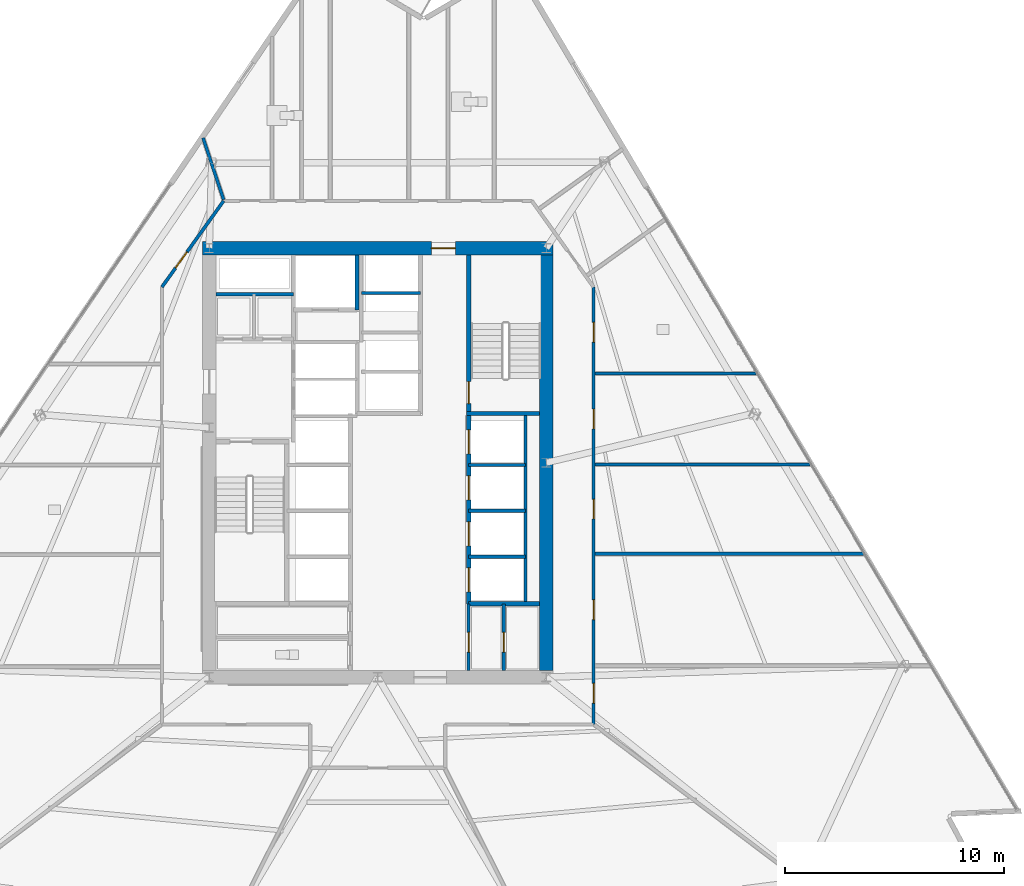
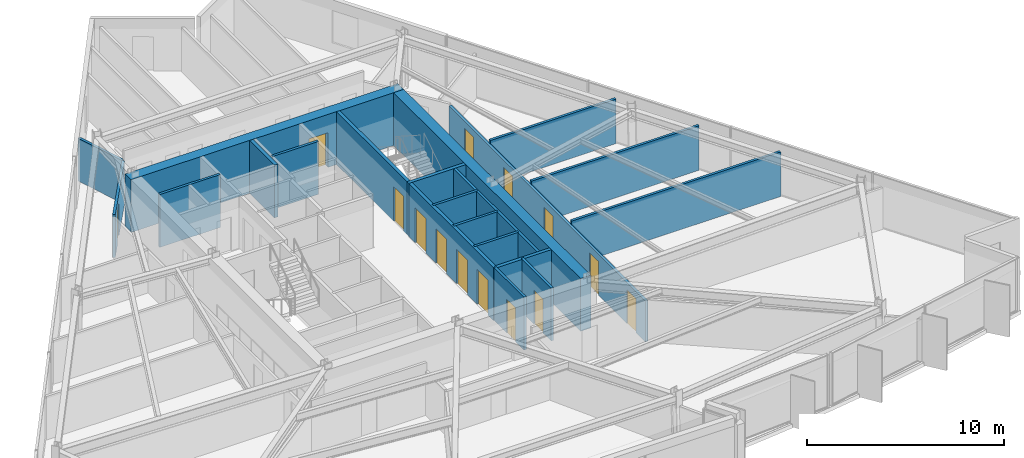
# One storey, part 10 of 16: 21 walls, 14 doors, 14 openings.
"""IFC4 building model written with IfcOpenShell, lengths in metres."""

from ifc_helpers import new_model, si_unit, direction, frame, frame_2d, origin, place, context, subcontext, project, spatial, rectangle, extrude, material, layer, layer_set, type_object, element, fill, save


model = new_model("IFC4")

# Units and contexts
model_context = context("Model", 3, precision=1e-05, world=origin(), true_north=direction((0.0, 1.0)))
body_context = subcontext(model_context, "Body", "Model", "MODEL_VIEW")
ifc_project = project(units=[si_unit("LENGTHUNIT", "METRE"), si_unit("AREAUNIT", "SQUARE_METRE"), si_unit("VOLUMEUNIT", "CUBIC_METRE"), si_unit("PLANEANGLEUNIT", "RADIAN"), si_unit("MASSUNIT", "GRAM", prefix="KILO")], contexts=[model_context])

# Site, building, storey
site_placement = place(None, origin())
site = spatial("IfcSite", under=ifc_project, at=site_placement, CompositionType="ELEMENT")
building_placement = place(site_placement, origin())
building = spatial("IfcBuilding", under=site, at=building_placement, Name="Savorim Split Tower", CompositionType="ELEMENT")
storey_placement = place(building_placement, frame((0.0, 0.0, 69.60009765625)))
storey = spatial("IfcBuildingStorey", under=building, at=storey_placement, Name="L18", CompositionType="ELEMENT", Elevation=69.60009765625)

# Wall, opening, door
ifc_material_1 = material(Name="Concrete C60/75", Category="concrete")
ifc_layer_1 = layer(ifc_material_1, 0.60009765625)
ifc_layer_set_1 = layer_set([ifc_layer_1], Name="WAL-COR-SH600")
wall_type_1 = type_object("IfcWallType", Name="WAL-COR-SH600", PredefinedType="SHEAR", material=ifc_layer_set_1)
wall_1_placement = place(storey_placement, frame((8.0, 10.199951171875, 0.0), z_axis=(0.0, 0.0, 1.0), x_axis=(-1.0, 0.0, 0.0)))
wall_1 = element("IfcWall", 1, at=wall_1_placement, inside=storey, type_object=wall_type_1, Name="L18 Offset Core North Shear Wall", PredefinedType="SHEAR", context=body_context, shape_type="SweptSolid", body=[
    extrude(rectangle(XDim=16.0, YDim=0.60009765625, at=frame_2d((8.0, 0.0))), origin(), (0.0, 0.0, 1.0), 3.27978515625),
])
opening_1_placement = place(wall_1_placement, frame((4.449951171875, 0.0, 0.0)))
opening_1 = element("IfcOpeningElement", 2, at=opening_1_placement, cuts=wall_1, Name="Opening DI-03", PredefinedType="OPENING", context=body_context, shape_type="SweptSolid", body=[
    extrude(rectangle(XDim=1.10009765625, YDim=2.14990234375, at=frame_2d((0.550048828125, 1.074951171875))), frame((0.0, 0.31005859375, 0.0), z_axis=(0.0, -1.0, 0.0), x_axis=(1.0, 0.0, 0.0)), (0.0, 0.0, 1.0), 0.6201171875),
])
ifc_material_2 = material(Name="Timber Fire Door Leaf", Category="wood")
door_type_1 = type_object("IfcDoorType", Name="DOR-FIR-1100", OperationType="NOTDEFINED", PredefinedType="DOOR", material=ifc_material_2)
door_1_placement = place(opening_1_placement, origin())
door_1 = element("IfcDoor", 3, at=door_1_placement, inside=storey, type_object=door_type_1, Name="DOR-L18-COR-NLOB - L18 North Corridor Lobby Fire Door", OperationType="SINGLE_SWING_LEFT", OverallHeight=2.14990234375, OverallWidth=1.10009765625, PredefinedType="DOOR", context=body_context, shape_type="SweptSolid", body=[
    extrude(rectangle(XDim=1.10009765625, YDim=2.14990234375, at=frame_2d((0.550048828125, 1.074951171875))), frame((0.0, 0.02490234375, 0.0), z_axis=(0.0, -1.0, 0.0), x_axis=(1.0, 0.0, 0.0)), (0.0, 0.0, 1.0), 0.050048828125),
])
fill(opening_1, door_1)

# Wall
wall_2_placement = place(storey_placement, frame((7.699951171875, 9.89990234375, 0.0), z_axis=(0.0, 0.0, 1.0), x_axis=(0.0, -1.0, 0.0)))
element("IfcWall", 4, at=wall_2_placement, inside=storey, type_object=wall_type_1, Name="L18 Offset Core East Shear Wall", PredefinedType="SHEAR", context=body_context, shape_type="SweptSolid", body=[
    extrude(rectangle(XDim=19.0, YDim=0.60009765625, at=frame_2d((9.5, 0.0))), origin(), (0.0, 0.0, 1.0), 3.27978515625),
])

# Wall, opening, door
ifc_material_3 = material(Name="Concrete C50/60", Category="concrete")
ifc_layer_2 = layer(ifc_material_3, 0.199951171875)
ifc_layer_set_2 = layer_set([ifc_layer_2], Name="WAL-INT-RC200")
wall_type_2 = type_object("IfcWallType", Name="WAL-INT-RC200", PredefinedType="SOLIDWALL", material=ifc_layer_set_2)
wall_3_placement = place(storey_placement, frame((4.14990234375, 2.75, 0.0), z_axis=(0.0, 0.0, 1.0), x_axis=(0.0, 1.0, 0.0)))
wall_3 = element("IfcWall", 5, at=wall_3_placement, inside=storey, type_object=wall_type_2, Name="L18 Structural Shaft Wall W-L18-CR07", PredefinedType="SOLIDWALL", context=body_context, shape_type="SweptSolid", body=[
    extrude(rectangle(XDim=7.14990234375, YDim=0.199951171875, at=frame_2d((3.574951171875, 0.0))), origin(), (0.0, 0.0, 1.0), 3.27978515625),
])
opening_2_placement = place(wall_3_placement, frame((0.35009765625, 0.0, 0.0)))
opening_2 = element("IfcOpeningElement", 6, at=opening_2_placement, cuts=wall_3, Name="Opening DI-04", PredefinedType="OPENING", context=body_context, shape_type="SweptSolid", body=[
    extrude(rectangle(XDim=1.0, YDim=2.14990234375, at=frame_2d((0.5, 1.074951171875))), frame((0.0, 0.10986328125, 0.0), z_axis=(0.0, -1.0, 0.0), x_axis=(1.0, 0.0, 0.0)), (0.0, 0.0, 1.0), 0.219970703125),
])
door_type_2 = type_object("IfcDoorType", Name="DOR-FIR-1000", OperationType="NOTDEFINED", PredefinedType="DOOR", material=ifc_material_2)
door_2_placement = place(opening_2_placement, origin())
door_2 = element("IfcDoor", 7, at=door_2_placement, inside=storey, type_object=door_type_2, Name="DR-L18-ST2 - L18 Stair ST-2 Enclosure Door", OperationType="SINGLE_SWING_RIGHT", OverallHeight=2.14990234375, OverallWidth=1.0, PredefinedType="DOOR", context=body_context, shape_type="SweptSolid", body=[
    extrude(rectangle(XDim=1.0, YDim=2.14990234375, at=frame_2d((0.5, 1.074951171875))), frame((0.0, 0.02490234375, 0.0), z_axis=(0.0, -1.0, 0.0), x_axis=(1.0, 0.0, 0.0)), (0.0, 0.0, 1.0), 0.050048828125),
])
fill(opening_2, door_2)

# Walls
wall_4_placement = place(storey_placement, frame((4.050048828125, 2.64990234375, 0.0), z_axis=(0.0, 0.0, 1.0), x_axis=(1.0, 0.0, 0.0)))
element("IfcWall", 8, at=wall_4_placement, inside=storey, type_object=wall_type_2, Name="L18 Structural Shaft Wall W-L18-CR08", PredefinedType="SOLIDWALL", context=body_context, shape_type="SweptSolid", body=[
    extrude(rectangle(XDim=3.349853515625, YDim=0.199951171875, at=frame_2d((1.6748046875, 0.0))), origin(), (0.0, 0.0, 1.0), 3.27978515625),
])
wall_5_placement = place(storey_placement, frame((-0.949951171875, 7.3798828125, 0.0), z_axis=(0.0, 0.0, 1.0), x_axis=(0.0, 1.0, 0.0)))
element("IfcWall", 9, at=wall_5_placement, inside=storey, type_object=wall_type_2, Name="L18 Partition W-L18-SVLE", PredefinedType="SOLIDWALL", context=body_context, shape_type="SweptSolid", body=[
    extrude(rectangle(XDim=2.51513671875, YDim=0.199951171875, at=frame_2d((1.257568359375, 0.0))), origin(), (0.0, 0.0, 1.0), 3.27978515625),
])

# Wall, openings, doors
wall_6_placement = place(storey_placement, frame((4.14990234375, -6.050048828125, 0.0), z_axis=(0.0, 0.0, 1.0), x_axis=(0.0, 1.0, 0.0)))
wall_6 = element("IfcWall", 10, at=wall_6_placement, inside=storey, type_object=wall_type_2, Name="L18 Partition W-L18-B1FRONT", PredefinedType="SOLIDWALL", context=body_context, shape_type="SweptSolid", body=[
    extrude(rectangle(XDim=8.699951171875, YDim=0.199951171875, at=frame_2d((4.35009765625, 0.0))), origin(), (0.0, 0.0, 1.0), 3.27978515625),
])
opening_3_placement = place(wall_6_placement, frame((0.550048828125, 0.0, 0.0)))
opening_3 = element("IfcOpeningElement", 11, at=opening_3_placement, cuts=wall_6, Name="Opening LD-01", PredefinedType="OPENING", context=body_context, shape_type="SweptSolid", body=[
    extrude(rectangle(XDim=1.10009765625, YDim=2.14990234375, at=frame_2d((0.550048828125, 1.074951171875))), frame((0.0, 0.10986328125, 0.0), z_axis=(0.0, -1.0, 0.0), x_axis=(1.0, 0.0, 0.0)), (0.0, 0.0, 1.0), 0.219970703125),
])
opening_4_placement = place(wall_6_placement, frame((2.64990234375, 0.0, 0.0)))
opening_4 = element("IfcOpeningElement", 12, at=opening_4_placement, cuts=wall_6, Name="Opening LD-01", PredefinedType="OPENING", context=body_context, shape_type="SweptSolid", body=[
    extrude(rectangle(XDim=1.10009765625, YDim=2.14990234375, at=frame_2d((0.550048828125, 1.074951171875))), frame((0.0, 0.10986328125, 0.0), z_axis=(0.0, -1.0, 0.0), x_axis=(1.0, 0.0, 0.0)), (0.0, 0.0, 1.0), 0.219970703125),
])
opening_5_placement = place(wall_6_placement, frame((4.75, 0.0, 0.0)))
opening_5 = element("IfcOpeningElement", 13, at=opening_5_placement, cuts=wall_6, Name="Opening LD-01", PredefinedType="OPENING", context=body_context, shape_type="SweptSolid", body=[
    extrude(rectangle(XDim=1.10009765625, YDim=2.14990234375, at=frame_2d((0.550048828125, 1.074951171875))), frame((0.0, 0.10986328125, 0.0), z_axis=(0.0, -1.0, 0.0), x_axis=(1.0, 0.0, 0.0)), (0.0, 0.0, 1.0), 0.219970703125),
])
opening_6_placement = place(wall_6_placement, frame((6.85009765625, 0.0, 0.0)))
opening_6 = element("IfcOpeningElement", 14, at=opening_6_placement, cuts=wall_6, Name="Opening LD-01", PredefinedType="OPENING", context=body_context, shape_type="SweptSolid", body=[
    extrude(rectangle(XDim=1.10009765625, YDim=2.14990234375, at=frame_2d((0.550048828125, 1.074951171875))), frame((0.0, 0.10986328125, 0.0), z_axis=(0.0, -1.0, 0.0), x_axis=(1.0, 0.0, 0.0)), (0.0, 0.0, 1.0), 0.219970703125),
])
ifc_material_4 = material(Name="Charcoal Anodised Aluminium", Category="aluminium")
door_type_3 = type_object("IfcDoorType", Name="DOR-SLD-LD1100", OperationType="NOTDEFINED", PredefinedType="DOOR", material=ifc_material_4)
door_3_placement = place(opening_3_placement, origin())
door_3 = element("IfcDoor", 15, at=door_3_placement, inside=storey, type_object=door_type_3, Name="DR-L18-LD-PLL1 - L18 Lift PL-L1 Sliding Landing Door", OperationType="DOUBLE_DOOR_SLIDING", OverallHeight=2.14990234375, OverallWidth=1.10009765625, PredefinedType="DOOR", context=body_context, shape_type="SweptSolid", body=[
    extrude(rectangle(XDim=1.10009765625, YDim=2.14990234375, at=frame_2d((0.550048828125, 1.074951171875))), frame((0.0, 0.02490234375, 0.0), z_axis=(0.0, -1.0, 0.0), x_axis=(1.0, 0.0, 0.0)), (0.0, 0.0, 1.0), 0.050048828125),
])
fill(opening_3, door_3)
door_4_placement = place(opening_4_placement, origin())
door_4 = element("IfcDoor", 16, at=door_4_placement, inside=storey, type_object=door_type_3, Name="DR-L18-LD-PLL2 - L18 Lift PL-L2 Sliding Landing Door", OperationType="DOUBLE_DOOR_SLIDING", OverallHeight=2.14990234375, OverallWidth=1.10009765625, PredefinedType="DOOR", context=body_context, shape_type="SweptSolid", body=[
    extrude(rectangle(XDim=1.10009765625, YDim=2.14990234375, at=frame_2d((0.550048828125, 1.074951171875))), frame((0.0, 0.02490234375, 0.0), z_axis=(0.0, -1.0, 0.0), x_axis=(1.0, 0.0, 0.0)), (0.0, 0.0, 1.0), 0.050048828125),
])
fill(opening_4, door_4)
door_5_placement = place(opening_5_placement, origin())
door_5 = element("IfcDoor", 17, at=door_5_placement, inside=storey, type_object=door_type_3, Name="DR-L18-LD-PLL3 - L18 Lift PL-L3 Sliding Landing Door", OperationType="DOUBLE_DOOR_SLIDING", OverallHeight=2.14990234375, OverallWidth=1.10009765625, PredefinedType="DOOR", context=body_context, shape_type="SweptSolid", body=[
    extrude(rectangle(XDim=1.10009765625, YDim=2.14990234375, at=frame_2d((0.550048828125, 1.074951171875))), frame((0.0, 0.02490234375, 0.0), z_axis=(0.0, -1.0, 0.0), x_axis=(1.0, 0.0, 0.0)), (0.0, 0.0, 1.0), 0.050048828125),
])
fill(opening_5, door_5)
door_6_placement = place(opening_6_placement, origin())
door_6 = element("IfcDoor", 18, at=door_6_placement, inside=storey, type_object=door_type_3, Name="DR-L18-LD-PLL4 - L18 Lift PL-L4 Sliding Landing Door", OperationType="DOUBLE_DOOR_SLIDING", OverallHeight=2.14990234375, OverallWidth=1.10009765625, PredefinedType="DOOR", context=body_context, shape_type="SweptSolid", body=[
    extrude(rectangle(XDim=1.10009765625, YDim=2.14990234375, at=frame_2d((0.550048828125, 1.074951171875))), frame((0.0, 0.02490234375, 0.0), z_axis=(0.0, -1.0, 0.0), x_axis=(1.0, 0.0, 0.0)), (0.0, 0.0, 1.0), 0.050048828125),
])
fill(opening_6, door_6)

# Walls
wall_7_placement = place(storey_placement, frame((4.14990234375, -6.050048828125, 0.0), z_axis=(0.0, 0.0, 1.0), x_axis=(1.0, 0.0, 0.0)))
element("IfcWall", 19, at=wall_7_placement, inside=storey, type_object=wall_type_2, Name="L18 Partition W-L18-KSEP-E", PredefinedType="SOLIDWALL", context=body_context, shape_type="SweptSolid", body=[
    extrude(rectangle(XDim=3.2451171875, YDim=0.199951171875, at=frame_2d((1.62255859375, 0.0))), origin(), (0.0, 0.0, 1.0), 3.27978515625),
])
ifc_material_5 = material(Name="Acoustic Gypsum Partition Board")
ifc_layer_3 = layer(ifc_material_5, 0.14990234375)
ifc_layer_set_3 = layer_set([ifc_layer_3], Name="WAL-PAR-150")
wall_type_3 = type_object("IfcWallType", Name="WAL-PAR-150", PredefinedType="PARTITIONING", material=ifc_layer_set_3)
wall_8_placement = place(storey_placement, frame((-7.39501953125, 8.10009765625, 0.0), z_axis=(0.0, 0.0, 1.0), x_axis=(1.0, 0.0, 0.0)))
element("IfcWall", 20, at=wall_8_placement, inside=storey, type_object=wall_type_3, Name="L18 Partition W-L18-CR05", PredefinedType="PARTITIONING", context=body_context, shape_type="SweptSolid", body=[
    extrude(rectangle(XDim=3.544921875, YDim=0.14990234375, at=frame_2d((1.7724609375, 0.0))), origin(), (0.0, 0.0, 1.0), 3.27978515625),
])
wall_9_placement = place(storey_placement, frame((6.75, -6.050048828125, 0.0), z_axis=(0.0, 0.0, 1.0), x_axis=(0.0, 1.0, 0.0)))
element("IfcWall", 21, at=wall_9_placement, inside=storey, type_object=wall_type_3, Name="L18 Partition W-L18-B1BACK", PredefinedType="PARTITIONING", context=body_context, shape_type="SweptSolid", body=[
    extrude(rectangle(XDim=8.699951171875, YDim=0.14990234375, at=frame_2d((4.35009765625, 0.0))), origin(), (0.0, 0.0, 1.0), 3.27978515625),
])
for number, where, z_axis, x_axis, name in (
    (22, (4.14990234375, -3.89990234375, 0.0), (0.0, 0.0, 1.0), (1.0, 0.0, 0.0), "L18 Partition W-L18-B1DIV1"),
    (23, (4.14990234375, -1.800048828125, 0.0), (0.0, 0.0, 1.0), (1.0, 0.0, 0.0), "L18 Partition W-L18-B1DIV2"),
    (24, (4.14990234375, 0.300048828125, 0.0), (0.0, 0.0, 1.0), (1.0, 0.0, 0.0), "L18 Partition W-L18-B1DIV3"),
):
    element("IfcWall", number, at=place(storey_placement, frame(where, z_axis=z_axis, x_axis=x_axis)), inside=storey, type_object=wall_type_3, Name=name, PredefinedType="PARTITIONING", context=body_context, shape_type="SweptSolid", body=[
        extrude(rectangle(XDim=2.60009765625, YDim=0.14990234375, at=frame_2d((1.300048828125, 0.0))), origin(), (0.0, 0.0, 1.0), 3.27978515625),
    ])
wall_10_placement = place(storey_placement, frame((-0.75, 8.14990234375, 0.0), z_axis=(0.0, 0.0, 1.0), x_axis=(1.0, 0.0, 0.0)))
element("IfcWall", 25, at=wall_10_placement, inside=storey, type_object=wall_type_3, Name="L18 Partition W-L18-B3DIV3", PredefinedType="PARTITIONING", context=body_context, shape_type="SweptSolid", body=[
    extrude(rectangle(XDim=2.699951171875, YDim=0.14990234375, at=frame_2d((1.35009765625, 0.0))), origin(), (0.0, 0.0, 1.0), 3.27978515625),
])

# Wall, opening, door
wall_11_placement = place(storey_placement, frame((4.14990234375, -9.094970703125, 0.0), z_axis=(0.0, 0.0, 1.0), x_axis=(0.0, 1.0, 0.0)))
wall_11 = element("IfcWall", 26, at=wall_11_placement, inside=storey, type_object=wall_type_3, Name="L18 Partition W-L18-KLOB-E", PredefinedType="PARTITIONING", context=body_context, shape_type="SweptSolid", body=[
    extrude(rectangle(XDim=3.044921875, YDim=0.14990234375, at=frame_2d((1.5224609375, 0.0))), origin(), (0.0, 0.0, 1.0), 3.27978515625),
])
opening_7_placement = place(wall_11_placement, frame((0.844970703125, 0.0, 0.0)))
opening_7 = element("IfcOpeningElement", 27, at=opening_7_placement, cuts=wall_11, Name="Opening DI-06", PredefinedType="OPENING", context=body_context, shape_type="SweptSolid", body=[
    extrude(rectangle(XDim=0.89990234375, YDim=2.10009765625, at=frame_2d((0.449951171875, 1.050048828125))), frame((0.0, 0.0849609375, 0.0), z_axis=(0.0, -1.0, 0.0), x_axis=(1.0, 0.0, 0.0)), (0.0, 0.0, 1.0), 0.169921875),
])
door_type_4 = type_object("IfcDoorType", Name="DOR-FIR-900", OperationType="NOTDEFINED", PredefinedType="DOOR", material=ifc_material_2)
door_7_placement = place(opening_7_placement, origin())
door_7 = element("IfcDoor", 28, at=door_7_placement, inside=storey, type_object=door_type_4, Name="DR-L18-K2PAN - L18 Vending Pantry Door", OperationType="SINGLE_SWING_LEFT", OverallHeight=2.10009765625, OverallWidth=0.89990234375, PredefinedType="DOOR", context=body_context, shape_type="SweptSolid", body=[
    extrude(rectangle(XDim=0.89990234375, YDim=2.10009765625, at=frame_2d((0.449951171875, 1.050048828125))), frame((0.0, 0.02490234375, 0.0), z_axis=(0.0, -1.0, 0.0), x_axis=(1.0, 0.0, 0.0)), (0.0, 0.0, 1.0), 0.050048828125),
])
fill(opening_7, door_7)

wall_12_placement = place(storey_placement, frame((5.75, -9.094970703125, 0.0), z_axis=(0.0, 0.0, 1.0), x_axis=(0.0, 1.0, 0.0)))
wall_12 = element("IfcWall", 29, at=wall_12_placement, inside=storey, type_object=wall_type_3, Name="L18 Partition W-L18-K2E", PredefinedType="PARTITIONING", context=body_context, shape_type="SweptSolid", body=[
    extrude(rectangle(XDim=3.044921875, YDim=0.14990234375, at=frame_2d((1.5224609375, 0.0))), origin(), (0.0, 0.0, 1.0), 3.27978515625),
])
opening_8_placement = place(wall_12_placement, frame((0.844970703125, 0.0, 0.0)))
opening_8 = element("IfcOpeningElement", 30, at=opening_8_placement, cuts=wall_12, Name="Opening DI-06", PredefinedType="OPENING", context=body_context, shape_type="SweptSolid", body=[
    extrude(rectangle(XDim=0.89990234375, YDim=2.10009765625, at=frame_2d((0.449951171875, 1.050048828125))), frame((0.0, 0.0849609375, 0.0), z_axis=(0.0, -1.0, 0.0), x_axis=(1.0, 0.0, 0.0)), (0.0, 0.0, 1.0), 0.169921875),
])
door_8_placement = place(opening_8_placement, origin())
door_8 = element("IfcDoor", 31, at=door_8_placement, inside=storey, type_object=door_type_4, Name="DR-L18-K2REF - L18 Recycling Room Door", OperationType="SINGLE_SWING_RIGHT", OverallHeight=2.10009765625, OverallWidth=0.89990234375, PredefinedType="DOOR", context=body_context, shape_type="SweptSolid", body=[
    extrude(rectangle(XDim=0.89990234375, YDim=2.10009765625, at=frame_2d((0.449951171875, 1.050048828125))), frame((0.0, 0.02490234375, 0.0), z_axis=(0.0, -1.0, 0.0), x_axis=(1.0, 0.0, 0.0)), (0.0, 0.0, 1.0), 0.050048828125),
])
fill(opening_8, door_8)

wall_13_placement = place(storey_placement, frame((-9.860107421875, 8.42578125, 0.0), z_axis=(0.0, 0.0, 1.0), x_axis=(0.582449511476, 0.812866881218, 0.0)))
wall_13 = element("IfcWall", 32, at=wall_13_placement, inside=storey, type_object=wall_type_3, Name="L18 Partition W-L18-COR-02", PredefinedType="PARTITIONING", context=body_context, shape_type="SweptSolid", body=[
    extrude(rectangle(XDim=4.840087890625, YDim=0.14990234375, at=frame_2d((2.419921875, 0.0))), origin(), (0.0, 0.0, 1.0), 2.65478515625),
])
opening_9_placement = place(wall_13_placement, frame((1.070068359375, 0.0, 0.0)))
opening_9 = element("IfcOpeningElement", 33, at=opening_9_placement, cuts=wall_13, Name="Opening DI-06", PredefinedType="OPENING", context=body_context, shape_type="SweptSolid", body=[
    extrude(rectangle(XDim=0.89990234375, YDim=2.10009765625, at=frame_2d((0.449951171875, 1.050048828125))), frame((0.0, 0.0849609375, 0.0), z_axis=(0.0, -1.0, 0.0), x_axis=(1.0, 0.0, 0.0)), (0.0, 0.0, 1.0), 0.169921875),
])
door_9_placement = place(opening_9_placement, origin())
door_9 = element("IfcDoor", 34, at=door_9_placement, inside=storey, type_object=door_type_4, Name="DR-L18-RM20 - L18 Co-Living Bedroom Entry Door", OperationType="SINGLE_SWING_LEFT", OverallHeight=2.10009765625, OverallWidth=0.89990234375, PredefinedType="DOOR", context=body_context, shape_type="SweptSolid", body=[
    extrude(rectangle(XDim=0.89990234375, YDim=2.10009765625, at=frame_2d((0.449951171875, 1.050048828125))), frame((0.0, 0.02490234375, 0.0), z_axis=(0.0, -1.0, 0.0), x_axis=(1.0, 0.0, 0.0)), (0.0, 0.0, 1.0), 0.050048828125),
])
fill(opening_9, door_9)

# Wall, openings, doors
wall_14_placement = place(storey_placement, frame((9.860107421875, 8.42578125, 0.0), z_axis=(0.0, 0.0, 1.0), x_axis=(0.0, -1.0, 0.0)))
wall_14 = element("IfcWall", 35, at=wall_14_placement, inside=storey, type_object=wall_type_3, Name="L18 Partition W-L18-COR-05", PredefinedType="PARTITIONING", context=body_context, shape_type="SweptSolid", body=[
    extrude(rectangle(XDim=19.98583984375, YDim=0.14990234375, at=frame_2d((9.992919921875, 0.0))), origin(), (0.0, 0.0, 1.0), 2.538818359375),
])
opening_10_placement = place(wall_14_placement, frame((18.103271484375, 0.0, 0.0)))
opening_10 = element("IfcOpeningElement", 36, at=opening_10_placement, cuts=wall_14, Name="Opening DI-06", PredefinedType="OPENING", context=body_context, shape_type="SweptSolid", body=[
    extrude(rectangle(XDim=0.89990234375, YDim=2.10009765625, at=frame_2d((0.449951171875, 1.050048828125))), frame((0.0, 0.0849609375, 0.0), z_axis=(0.0, -1.0, 0.0), x_axis=(1.0, 0.0, 0.0)), (0.0, 0.0, 1.0), 0.169921875),
])
opening_11_placement = place(wall_14_placement, frame((14.2939453125, 0.0, 0.0)))
opening_11 = element("IfcOpeningElement", 37, at=opening_11_placement, cuts=wall_14, Name="Opening DI-06", PredefinedType="OPENING", context=body_context, shape_type="SweptSolid", body=[
    extrude(rectangle(XDim=0.89990234375, YDim=2.10009765625, at=frame_2d((0.449951171875, 1.050048828125))), frame((0.0, 0.0849609375, 0.0), z_axis=(0.0, -1.0, 0.0), x_axis=(1.0, 0.0, 0.0)), (0.0, 0.0, 1.0), 0.169921875),
])
opening_12_placement = place(wall_14_placement, frame((9.69580078125, 0.0, 0.0)))
opening_12 = element("IfcOpeningElement", 38, at=opening_12_placement, cuts=wall_14, Name="Opening DI-06", PredefinedType="OPENING", context=body_context, shape_type="SweptSolid", body=[
    extrude(rectangle(XDim=0.89990234375, YDim=2.10009765625, at=frame_2d((0.449951171875, 1.050048828125))), frame((0.0, 0.0849609375, 0.0), z_axis=(0.0, -1.0, 0.0), x_axis=(1.0, 0.0, 0.0)), (0.0, 0.0, 1.0), 0.169921875),
])
opening_13_placement = place(wall_14_placement, frame((5.574462890625, 0.0, 0.0)))
opening_13 = element("IfcOpeningElement", 39, at=opening_13_placement, cuts=wall_14, Name="Opening DI-06", PredefinedType="OPENING", context=body_context, shape_type="SweptSolid", body=[
    extrude(rectangle(XDim=0.89990234375, YDim=2.10009765625, at=frame_2d((0.449951171875, 1.050048828125))), frame((0.0, 0.0849609375, 0.0), z_axis=(0.0, -1.0, 0.0), x_axis=(1.0, 0.0, 0.0)), (0.0, 0.0, 1.0), 0.169921875),
])
opening_14_placement = place(wall_14_placement, frame((1.612060546875, 0.0, 0.0)))
opening_14 = element("IfcOpeningElement", 40, at=opening_14_placement, cuts=wall_14, Name="Opening DI-06", PredefinedType="OPENING", context=body_context, shape_type="SweptSolid", body=[
    extrude(rectangle(XDim=0.89990234375, YDim=2.10009765625, at=frame_2d((0.449951171875, 1.050048828125))), frame((0.0, 0.0849609375, 0.0), z_axis=(0.0, -1.0, 0.0), x_axis=(1.0, 0.0, 0.0)), (0.0, 0.0, 1.0), 0.169921875),
])
door_10_placement = place(opening_10_placement, origin())
door_10 = element("IfcDoor", 41, at=door_10_placement, inside=storey, type_object=door_type_4, Name="DR-L18-RM07 - L18 Co-Working Commons Entry Door", OperationType="SINGLE_SWING_RIGHT", OverallHeight=2.10009765625, OverallWidth=0.89990234375, PredefinedType="DOOR", context=body_context, shape_type="SweptSolid", body=[
    extrude(rectangle(XDim=0.89990234375, YDim=2.10009765625, at=frame_2d((0.449951171875, 1.050048828125))), frame((0.0, 0.02490234375, 0.0), z_axis=(0.0, -1.0, 0.0), x_axis=(1.0, 0.0, 0.0)), (0.0, 0.0, 1.0), 0.050048828125),
])
fill(opening_10, door_10)
door_11_placement = place(opening_11_placement, origin())
door_11 = element("IfcDoor", 42, at=door_11_placement, inside=storey, type_object=door_type_4, Name="DR-L18-RM08 - L18 Maker Workshop Entry Door", OperationType="SINGLE_SWING_LEFT", OverallHeight=2.10009765625, OverallWidth=0.89990234375, PredefinedType="DOOR", context=body_context, shape_type="SweptSolid", body=[
    extrude(rectangle(XDim=0.89990234375, YDim=2.10009765625, at=frame_2d((0.449951171875, 1.050048828125))), frame((0.0, 0.02490234375, 0.0), z_axis=(0.0, -1.0, 0.0), x_axis=(1.0, 0.0, 0.0)), (0.0, 0.0, 1.0), 0.050048828125),
])
fill(opening_11, door_11)
door_12_placement = place(opening_12_placement, origin())
door_12 = element("IfcDoor", 43, at=door_12_placement, inside=storey, type_object=door_type_4, Name="DR-L18-RM09 - L18 Communal Lounge Entry Door", OperationType="SINGLE_SWING_RIGHT", OverallHeight=2.10009765625, OverallWidth=0.89990234375, PredefinedType="DOOR", context=body_context, shape_type="SweptSolid", body=[
    extrude(rectangle(XDim=0.89990234375, YDim=2.10009765625, at=frame_2d((0.449951171875, 1.050048828125))), frame((0.0, 0.02490234375, 0.0), z_axis=(0.0, -1.0, 0.0), x_axis=(1.0, 0.0, 0.0)), (0.0, 0.0, 1.0), 0.050048828125),
])
fill(opening_12, door_12)
door_13_placement = place(opening_13_placement, origin())
door_13 = element("IfcDoor", 44, at=door_13_placement, inside=storey, type_object=door_type_4, Name="DR-L18-RM10 - L18 Maker Workshop Entry Door", OperationType="SINGLE_SWING_LEFT", OverallHeight=2.10009765625, OverallWidth=0.89990234375, PredefinedType="DOOR", context=body_context, shape_type="SweptSolid", body=[
    extrude(rectangle(XDim=0.89990234375, YDim=2.10009765625, at=frame_2d((0.449951171875, 1.050048828125))), frame((0.0, 0.02490234375, 0.0), z_axis=(0.0, -1.0, 0.0), x_axis=(1.0, 0.0, 0.0)), (0.0, 0.0, 1.0), 0.050048828125),
])
fill(opening_13, door_13)
door_14_placement = place(opening_14_placement, origin())
door_14 = element("IfcDoor", 45, at=door_14_placement, inside=storey, type_object=door_type_4, Name="DR-L18-RM11 - L18 Community Laundry Room Entry Door", OperationType="SINGLE_SWING_RIGHT", OverallHeight=2.10009765625, OverallWidth=0.89990234375, PredefinedType="DOOR", context=body_context, shape_type="SweptSolid", body=[
    extrude(rectangle(XDim=0.89990234375, YDim=2.10009765625, at=frame_2d((0.449951171875, 1.050048828125))), frame((0.0, 0.02490234375, 0.0), z_axis=(0.0, -1.0, 0.0), x_axis=(1.0, 0.0, 0.0)), (0.0, 0.0, 1.0), 0.050048828125),
])
fill(opening_14, door_14)

# Walls
wall_15_placement = place(storey_placement, frame((-7.039306640625, 12.4140625, 0.0), z_axis=(0.0, 0.0, 1.0), x_axis=(-0.316006200203, 0.948757124576, 0.0)))
element("IfcWall", 46, at=wall_15_placement, inside=storey, type_object=wall_type_3, Name="L18 Partition W-L18-PRAD08", PredefinedType="PARTITIONING", context=body_context, shape_type="SweptSolid", body=[
    extrude(rectangle(XDim=2.97509765625, YDim=0.14990234375, at=frame_2d((1.487548828125, 0.0))), origin(), (0.0, 0.0, 1.0), 2.65478515625),
])
wall_16_placement = place(storey_placement, frame((9.919921875, 0.32275390625, 0.0), z_axis=(0.0, 0.0, 1.0), x_axis=(1.0, 0.0, 0.0)))
element("IfcWall", 47, at=wall_16_placement, inside=storey, type_object=wall_type_3, Name="L18 Partition W-L18-SUB03", PredefinedType="PARTITIONING", context=body_context, shape_type="SweptSolid", body=[
    extrude(rectangle(XDim=9.837646484375, YDim=0.14990234375, at=frame_2d((4.9189453125, 0.0))), origin(), (0.0, 0.0, 1.0), 2.764892578125),
])
wall_17_placement = place(storey_placement, frame((9.919921875, -3.76318359375, 0.0), z_axis=(0.0, 0.0, 1.0), x_axis=(1.0, 0.0, 0.0)))
element("IfcWall", 48, at=wall_17_placement, inside=storey, type_object=wall_type_3, Name="L18 Partition W-L18-SUB07", PredefinedType="PARTITIONING", context=body_context, shape_type="SweptSolid", body=[
    extrude(rectangle(XDim=12.267333984375, YDim=0.14990234375, at=frame_2d((6.1337890625, 0.0))), origin(), (0.0, 0.0, 1.0), 2.764892578125),
])
wall_18_placement = place(storey_placement, frame((9.919921875, 4.479736328125, 0.0), z_axis=(0.0, 0.0, 1.0), x_axis=(1.0, 0.0, 0.0)))
element("IfcWall", 49, at=wall_18_placement, inside=storey, type_object=wall_type_3, Name="L18 Partition W-L18-SUB08", PredefinedType="PARTITIONING", context=body_context, shape_type="SweptSolid", body=[
    extrude(rectangle(XDim=7.36572265625, YDim=0.14990234375, at=frame_2d((3.682861328125, 0.0))), origin(), (0.0, 0.0, 1.0), 2.764892578125),
])

save(model, "model.ifc")
